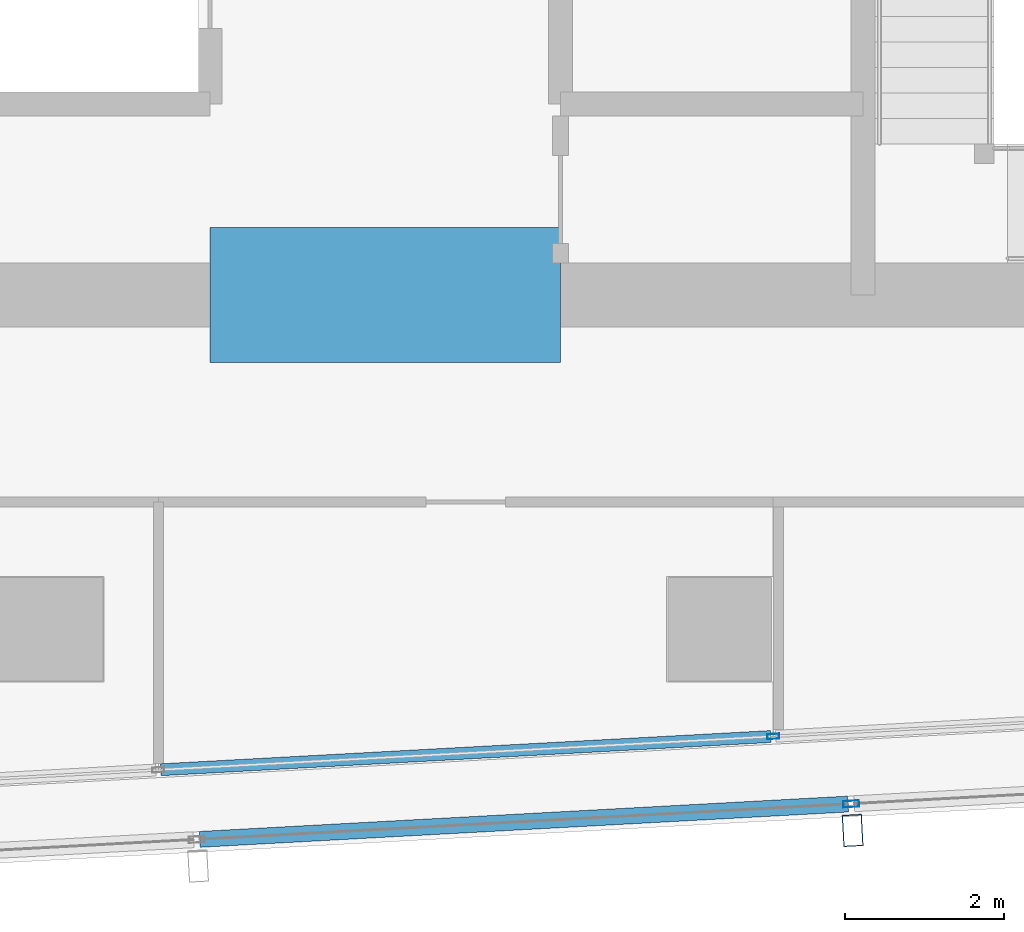
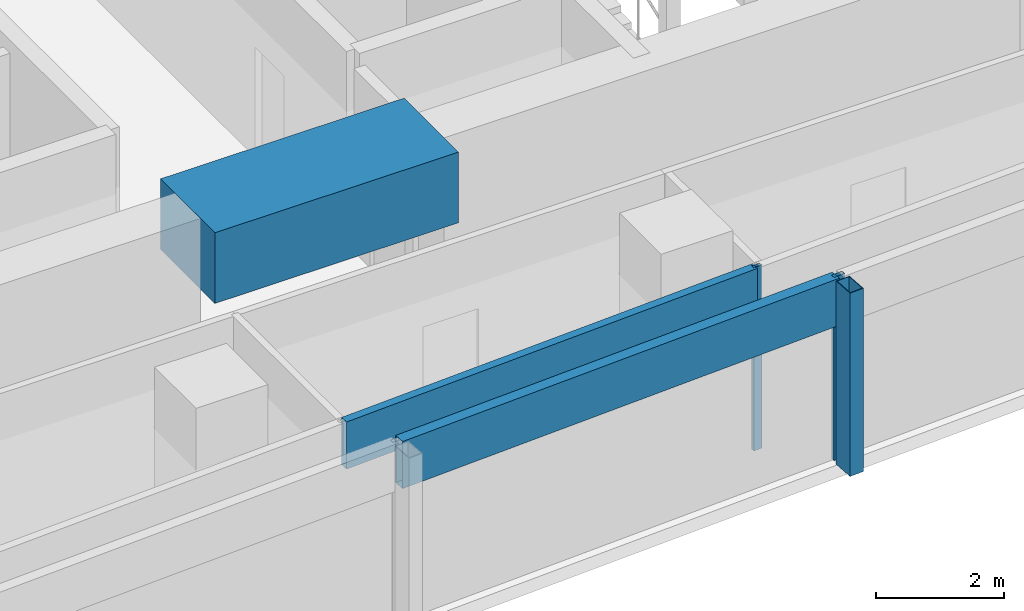
# One storey, part 9 of 30: 5 members, 1 beam, 2 elements without a shape of their own.
"""IFC4 building model written with IfcOpenShell, lengths in metres."""

from ifc_helpers import new_model, si_unit, direction, frame, origin, origin_2d, place, context, subcontext, project, spatial, rectangle, hollow_rectangle, extrude, material, material_profile, profile_set, type_object, element, aggregate, save


model = new_model("IFC4")

# Units and contexts
model_context = context("Model", 3, precision=1e-05, world=origin(), true_north=direction((0.0, 1.0)))
body_context = subcontext(model_context, "Body", "Model", "MODEL_VIEW")
ifc_project = project(units=[si_unit("LENGTHUNIT", "METRE"), si_unit("AREAUNIT", "SQUARE_METRE"), si_unit("VOLUMEUNIT", "CUBIC_METRE"), si_unit("PLANEANGLEUNIT", "RADIAN"), si_unit("MASSUNIT", "GRAM", prefix="KILO")], contexts=[model_context])

# Site, building, storey
site_placement = place(None, origin())
site = spatial("IfcSite", under=ifc_project, at=site_placement, CompositionType="ELEMENT")
building_placement = place(site_placement, origin())
building = spatial("IfcBuilding", under=site, at=building_placement, Name="Rekha Terrace Tower", CompositionType="ELEMENT")
storey_placement = place(building_placement, frame((0.0, 0.0, 265.10009765625)))
storey = spatial("IfcBuildingStorey", under=building, at=storey_placement, Name="L67", CompositionType="ELEMENT", Elevation=265.10009765625)

# Curtain wall, member
ifc_material_1 = material(Name="Aluminium framing", Category="aluminium")
curtain_wall_type_1 = type_object("IfcCurtainWallType", Name="CW2 double skin outer glazing", PredefinedType="USERDEFINED", material=ifc_material_1)
curtain_wall_1_placement = place(storey_placement, origin())
curtain_wall_1 = element("IfcCurtainWall", 1, at=curtain_wall_1_placement, inside=storey, type_object=curtain_wall_type_1, Name="CW2 double skin outer glazing", ObjectType="DOUBLE SKIN OUTER GLAZING", PredefinedType="USERDEFINED")
ifc_material_2 = material(Name="Steel S355 with fluorocarbon finish", Category="steel")
ifc_material_profile_1 = material_profile(ifc_material_2, hollow_rectangle(XDim=0.25, YDim=0.39990234375, WallThickness=0.012451171875, at=origin_2d()), Name="RHS400x250x12.5")
ifc_profile_set_1 = profile_set([ifc_material_profile_1], Name="Steel S355 with fluorocarbon finish")
member_type_1 = type_object("IfcMemberType", Name="BL1 facade blade RHS 400 x 250", PredefinedType="USERDEFINED", material=ifc_profile_set_1)
member_1_placement = place(storey_placement, frame((43.67138671875, 14.271728515625, 0.0), z_axis=(0.0, 0.0, 1.0), x_axis=(0.99851982155, 0.054389024366, 0.0)))
member_1 = element("IfcMember", 2, at=member_1_placement, type_object=member_type_1, Name="Facade blade", ObjectType="FACADE BLADE", PredefinedType="USERDEFINED", context=body_context, shape_type="SweptSolid", body=[
    extrude(hollow_rectangle(XDim=0.25, YDim=0.39990234375, WallThickness=0.012451171875, at=origin_2d()), origin(), (0.0, 0.0, 1.0), 3.5),
])

# Curtain wall, members
curtain_wall_type_2 = type_object("IfcCurtainWallType", Name="CW1 double skin inner glazing", PredefinedType="USERDEFINED", material=ifc_material_1)
curtain_wall_2_placement = place(storey_placement, origin())
curtain_wall_2 = element("IfcCurtainWall", 3, at=curtain_wall_2_placement, inside=storey, type_object=curtain_wall_type_2, Name="CW1 double skin inner glazing", ObjectType="DOUBLE SKIN INNER GLAZING", PredefinedType="USERDEFINED")
ifc_material_3 = material(Name="Aluminium mullion section", Category="aluminium")
ifc_material_profile_2 = material_profile(ifc_material_3, hollow_rectangle(XDim=0.06494140625, YDim=0.14990234375, WallThickness=0.00390625, at=origin_2d()), Name="AL RHS 65x150")
ifc_profile_set_2 = profile_set([ifc_material_profile_2], Name="Aluminium mullion section")
member_type_2 = type_object("IfcMemberType", Name="CW1 mullion RHS 65 x 150", PredefinedType="MULLION", material=ifc_profile_set_2)
member_2_placement = place(storey_placement, frame((42.673583984375, 15.4541015625, 0.0), z_axis=(0.0, 0.0, 1.0), x_axis=(-0.054388903036, 0.998519828159, 0.0)))
member_2 = element("IfcMember", 4, at=member_2_placement, type_object=member_type_2, Name="CW1 mullion 3", PredefinedType="MULLION", context=body_context, shape_type="SweptSolid", body=[
    extrude(hollow_rectangle(XDim=0.06494140625, YDim=0.14990234375, WallThickness=0.00390625, at=origin_2d()), origin(), (0.0, 0.0, 1.0), 3.5),
])
ifc_material_4 = material(Name="Insulated aluminium spandrel box", Category="aluminium")
ifc_material_profile_3 = material_profile(ifc_material_4, hollow_rectangle(XDim=0.14990234375, YDim=0.89990234375, WallThickness=0.0029296875, at=origin_2d()), Name="AL SPANDREL BOX 150x900")
ifc_profile_set_3 = profile_set([ifc_material_profile_3], Name="Insulated aluminium spandrel box")
member_type_3 = type_object("IfcMemberType", Name="CW1 spandrel transom 150 x 900", PredefinedType="USERDEFINED", material=ifc_profile_set_3)
member_3_placement = place(storey_placement, frame((34.980224609375, 15.03515625, 3.0498046875), z_axis=(0.998520172557, 0.054382579907, 0.0), x_axis=(-0.054382579907, 0.998520172557, 0.0)))
member_3 = element("IfcMember", 5, at=member_3_placement, type_object=member_type_3, Name="CW1 spandrel transom 2", ObjectType="TRANSOM", PredefinedType="USERDEFINED", context=body_context, shape_type="SweptSolid", body=[
    extrude(hollow_rectangle(XDim=0.14990234375, YDim=0.89990234375, WallThickness=0.0029296875, at=origin_2d()), origin(), (0.0, 0.0, 1.0), 7.67236328125),
])
aggregate(curtain_wall_2, [member_2, member_3])

# Member
ifc_material_profile_4 = material_profile(ifc_material_3, hollow_rectangle(XDim=0.080078125, YDim=0.199951171875, WallThickness=0.00390625, at=origin_2d()), Name="AL RHS 80x200")
ifc_profile_set_4 = profile_set([ifc_material_profile_4], Name="Aluminium mullion section")
member_type_4 = type_object("IfcMemberType", Name="CW2 mullion RHS 80 x 200", PredefinedType="MULLION", material=ifc_profile_set_4)
member_4_placement = place(storey_placement, frame((43.6533203125, 14.606201171875, 0.0), z_axis=(0.0, 0.0, 1.0), x_axis=(-0.054388903071, 0.998519828157, 0.0)))
member_4 = element("IfcMember", 6, at=member_4_placement, type_object=member_type_4, Name="CW2 mullion 3", PredefinedType="MULLION", context=body_context, shape_type="SweptSolid", body=[
    extrude(hollow_rectangle(XDim=0.080078125, YDim=0.199951171875, WallThickness=0.00390625, at=origin_2d()), origin(), (0.0, 0.0, 1.0), 3.5),
])

ifc_material_profile_5 = material_profile(ifc_material_4, hollow_rectangle(XDim=0.199951171875, YDim=0.89990234375, WallThickness=0.0029296875, at=origin_2d()), Name="AL SPANDREL BOX 200x900")
ifc_profile_set_5 = profile_set([ifc_material_profile_5], Name="Insulated aluminium spandrel box")
member_type_5 = type_object("IfcMemberType", Name="CW2 spandrel transom 200 x 900", PredefinedType="USERDEFINED", material=ifc_profile_set_5)
member_5_placement = place(storey_placement, frame((35.469970703125, 14.160400390625, 3.0498046875), z_axis=(0.998519553524, 0.054393944798, 0.0), x_axis=(-0.054393944798, 0.998519553524, 0.0)))
member_5 = element("IfcMember", 7, at=member_5_placement, type_object=member_type_5, Name="CW2 spandrel transom 2", ObjectType="TRANSOM", PredefinedType="USERDEFINED", context=body_context, shape_type="SweptSolid", body=[
    extrude(hollow_rectangle(XDim=0.199951171875, YDim=0.89990234375, WallThickness=0.0029296875, at=origin_2d()), origin(), (0.0, 0.0, 1.0), 8.1552734375),
])

aggregate(curtain_wall_1, [member_4, member_5, member_1])

# Beam
ifc_material_5 = material(Name="Concrete M60", Category="concrete")
ifc_material_profile_6 = material_profile(ifc_material_5, rectangle(XDim=1.699951171875, YDim=1.35009765625, at=origin_2d()), Name="RC 1700x1350")
ifc_profile_set_6 = profile_set([ifc_material_profile_6], Name="Concrete M60")
beam_type = type_object("IfcBeamType", Name="LB5A 1700x1350 diagonally reinforced coupling beam", PredefinedType="LINTEL", material=ifc_profile_set_6)
beam_placement = place(storey_placement, frame((35.60009765625, 21.0, 3.074951171875), z_axis=(1.0, 0.0, 0.0), x_axis=(0.0, 1.0, 0.0)))
element("IfcBeam", 8, at=beam_placement, inside=storey, type_object=beam_type, Name="Coupling beam LB5A S L67", PredefinedType="LINTEL", context=body_context, shape_type="SweptSolid", body=[
    extrude(rectangle(XDim=1.699951171875, YDim=1.35009765625, at=origin_2d()), origin(), (0.0, 0.0, 1.0), 4.39990234375),
])

save(model, "model.ifc")
